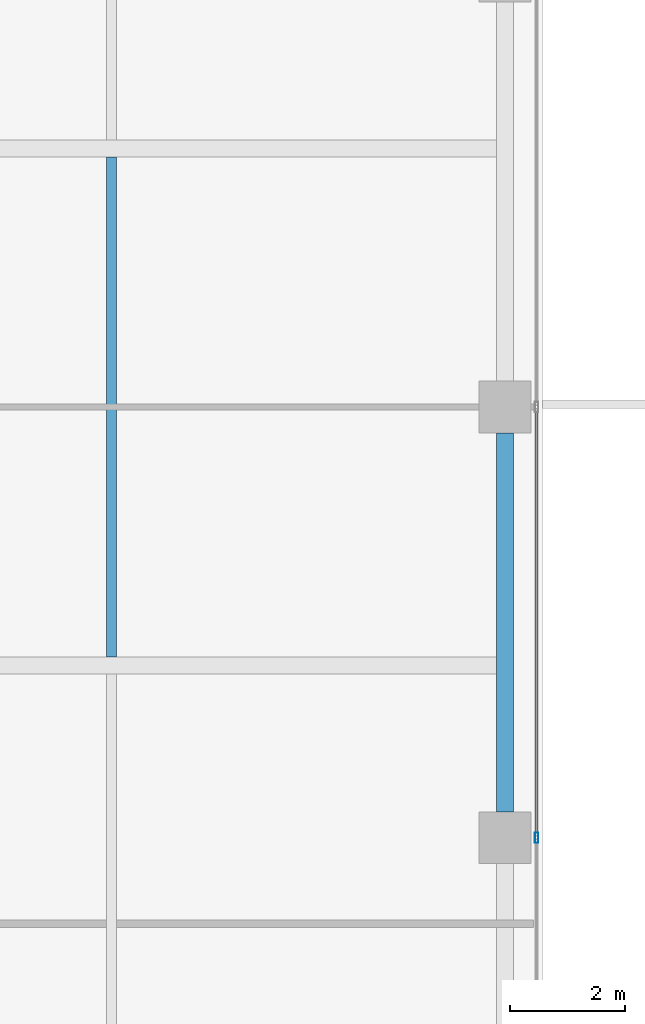
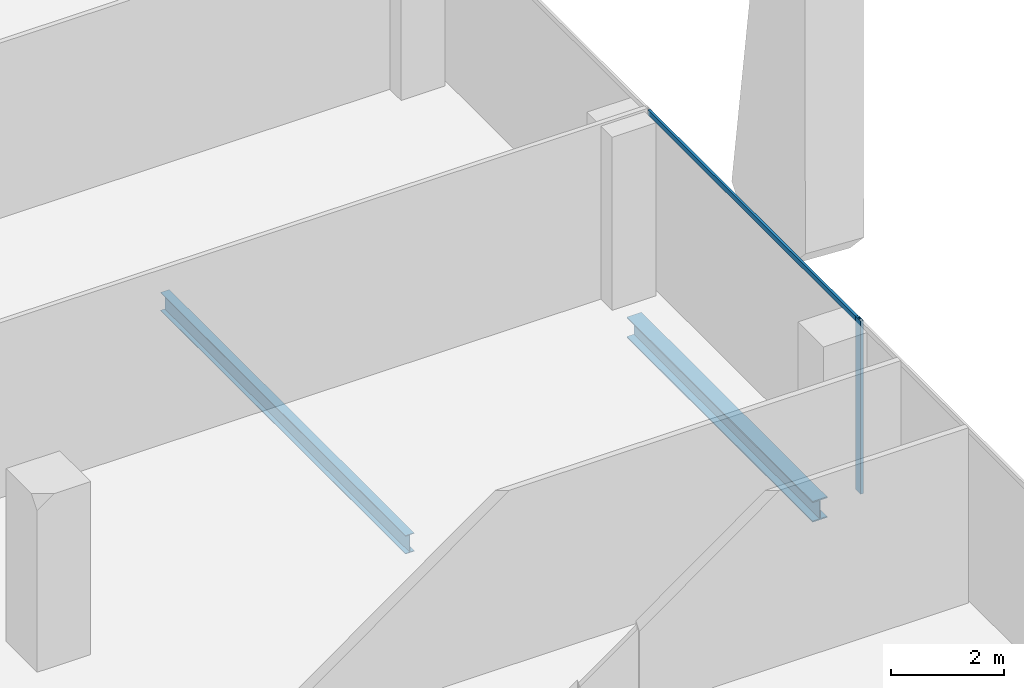
# One storey, part 11 of 35: 2 beams, 2 members, 1 element without a shape of its own.
"""IFC4 building model written with IfcOpenShell, lengths in metres."""

from ifc_helpers import new_model, si_unit, direction, frame, origin, origin_2d, place, context, subcontext, project, spatial, hollow_rectangle, i_section, extrude, source, transform, mapped, material, material_profile, profile_set, type_object, element, aggregate, save


model = new_model("IFC4")

# Units and contexts
model_context = context("Model", 3, precision=1e-05, world=origin(), true_north=direction((0.0, 1.0)))
body_context = subcontext(model_context, "Body", "Model", "MODEL_VIEW")
ifc_project = project(units=[si_unit("LENGTHUNIT", "METRE"), si_unit("AREAUNIT", "SQUARE_METRE"), si_unit("VOLUMEUNIT", "CUBIC_METRE"), si_unit("PLANEANGLEUNIT", "RADIAN"), si_unit("MASSUNIT", "GRAM", prefix="KILO")], contexts=[model_context])

# Site, building, storey
site_placement = place(None, origin())
site = spatial("IfcSite", under=ifc_project, at=site_placement, CompositionType="ELEMENT")
building_placement = place(site_placement, origin())
building = spatial("IfcBuilding", under=site, at=building_placement, Name="Khomas Fold Tower", CompositionType="ELEMENT")
storey_placement = place(building_placement, frame((0.0, 0.0, 250.199951171875)))
storey = spatial("IfcBuildingStorey", under=building, at=storey_placement, Name="L56", CompositionType="ELEMENT", Elevation=250.199951171875)

# Beams
ifc_material_1 = material(Name="Steel S355", Category="steel")
ifc_material_profile_1 = material_profile(ifc_material_1, i_section(OverallWidth=0.179931640625, OverallDepth=0.39990234375, WebThickness=0.008544921875, FlangeThickness=0.013427734375, at=origin_2d()), Name="IPE 400")
ifc_profile_set_1 = profile_set([ifc_material_profile_1], Name="Steel S355")
beam_type_1 = type_object("IfcBeamType", Name="IPE 400 beam JB3", PredefinedType="BEAM", material=ifc_profile_set_1)
shared_shape_1 = source(origin(), body_context, "Body", "SweptSolid", [
    extrude(i_section(OverallWidth=0.179931640625, OverallDepth=0.39990234375, WebThickness=0.008544921875, FlangeThickness=0.013427734375, at=origin_2d()), origin(), (0.0, 0.0, 1.0), 8.7001953125),
])
beam_1_placement = place(storey_placement, frame((42.0, 22.64990234375, -0.449951171875), z_axis=(0.0, 1.0, 0.0), x_axis=(-1.0, 0.0, 0.0)))
element("IfcBeam", 1, at=beam_1_placement, inside=storey, type_object=beam_type_1, Name="JB3", PredefinedType="BEAM", context=body_context, shape_type="MappedRepresentation", body=[
    mapped(shared_shape_1, transform((0.0, 0.0, 0.0))),
])
ifc_material_2 = material(Name="Steel S355", Category="steel")
ifc_material_profile_2 = material_profile(ifc_material_2, i_section(OverallWidth=0.300048828125, OverallDepth=0.449951171875, WebThickness=0.013916015625, FlangeThickness=0.02587890625, at=origin_2d()), Name="HE 450 B")
ifc_profile_set_2 = profile_set([ifc_material_profile_2], Name="Steel S355")
beam_type_2 = type_object("IfcBeamType", Name="HE 450 B spandrel SB4", PredefinedType="SPANDREL", material=ifc_profile_set_2)
shared_shape_2 = source(origin(), body_context, "Body", "SweptSolid", [
    extrude(i_section(OverallWidth=0.300048828125, OverallDepth=0.449951171875, WebThickness=0.013916015625, FlangeThickness=0.02587890625, at=origin_2d()), origin(), (0.0, 0.0, 1.0), 6.60009765625),
])
beam_2_placement = place(storey_placement, frame((48.85009765625, 19.949951171875, -0.474853515625), z_axis=(0.0, 1.0, 0.0), x_axis=(-1.0, 0.0, 0.0)))
element("IfcBeam", 2, at=beam_2_placement, inside=storey, type_object=beam_type_2, Name="SB4", PredefinedType="SPANDREL", context=body_context, shape_type="MappedRepresentation", body=[
    mapped(shared_shape_2, transform((0.0, 0.0, 0.0))),
])

# Curtain wall, members
ifc_material_3 = material(Name="Aluminium framed double glazing", Category="aluminium")
curtain_wall_type = type_object("IfcCurtainWallType", Name="SK-Unitised clear-glass wall, office floors CW2", PredefinedType="NOTDEFINED", material=ifc_material_3)
curtain_wall_placement = place(storey_placement, origin())
curtain_wall = element("IfcCurtainWall", 3, at=curtain_wall_placement, inside=storey, type_object=curtain_wall_type, Name="CW2 run L56 03-0", PredefinedType="NOTDEFINED")
ifc_material_4 = material(Name="Aluminium", Category="aluminium")
ifc_material_profile_3 = material_profile(ifc_material_4, hollow_rectangle(XDim=0.06005859375, YDim=0.179931640625, WallThickness=0.00390625, at=origin_2d()), Name="SK-Unitised clear-glass wall, office floors mullion CW2-M")
ifc_profile_set_3 = profile_set([ifc_material_profile_3], Name="Aluminium")
member_type_1 = type_object("IfcMemberType", Name="SK-Unitised clear-glass wall, office floors mullion CW2-M", PredefinedType="MULLION", material=ifc_profile_set_3)
shared_shape_3 = source(origin(), body_context, "Body", "SweptSolid", [
    extrude(hollow_rectangle(XDim=0.06005859375, YDim=0.179931640625, WallThickness=0.00390625, at=origin_2d()), origin(), (0.0, 0.0, 1.0), 3.75),
])
member_1_placement = place(storey_placement, frame((49.39990234375, 19.5, 0.0), z_axis=(0.0, 0.0, 1.0), x_axis=(-1.0, 0.0, 0.0)))
member_1 = element("IfcMember", 4, at=member_1_placement, type_object=member_type_1, Name="CW2 mullion 3", PredefinedType="MULLION", context=body_context, shape_type="MappedRepresentation", body=[
    mapped(shared_shape_3, transform((0.0, 0.0, 0.0))),
])
ifc_material_5 = material(Name="Aluminium", Category="aluminium")
ifc_material_profile_4 = material_profile(ifc_material_5, hollow_rectangle(XDim=0.050048828125, YDim=0.110107421875, WallThickness=0.00390625, at=origin_2d()), Name="SK-Unitised clear-glass wall, office floors transom CW2-T")
ifc_profile_set_4 = profile_set([ifc_material_profile_4], Name="Aluminium")
member_type_2 = type_object("IfcMemberType", Name="SK-Unitised clear-glass wall, office floors transom CW2-T", PredefinedType="USERDEFINED", material=ifc_profile_set_4)
shared_shape_4 = source(origin(), body_context, "Body", "SweptSolid", [
    extrude(hollow_rectangle(XDim=0.050048828125, YDim=0.110107421875, WallThickness=0.00390625, at=origin_2d()), origin(), (0.0, 0.0, 1.0), 7.43994140625),
])
member_2_placement = place(storey_placement, frame((49.39990234375, 19.530029296875, 3.695068359375), z_axis=(0.0, 1.0, 0.0), x_axis=(-1.0, 0.0, 0.0)))
member_2 = element("IfcMember", 5, at=member_2_placement, type_object=member_type_2, Name="CW2 transom 3", ObjectType="TRANSOM", PredefinedType="USERDEFINED", context=body_context, shape_type="MappedRepresentation", body=[
    mapped(shared_shape_4, transform((0.0, 0.0, 0.0))),
])
aggregate(curtain_wall, [member_1, member_2])

save(model, "model.ifc")
